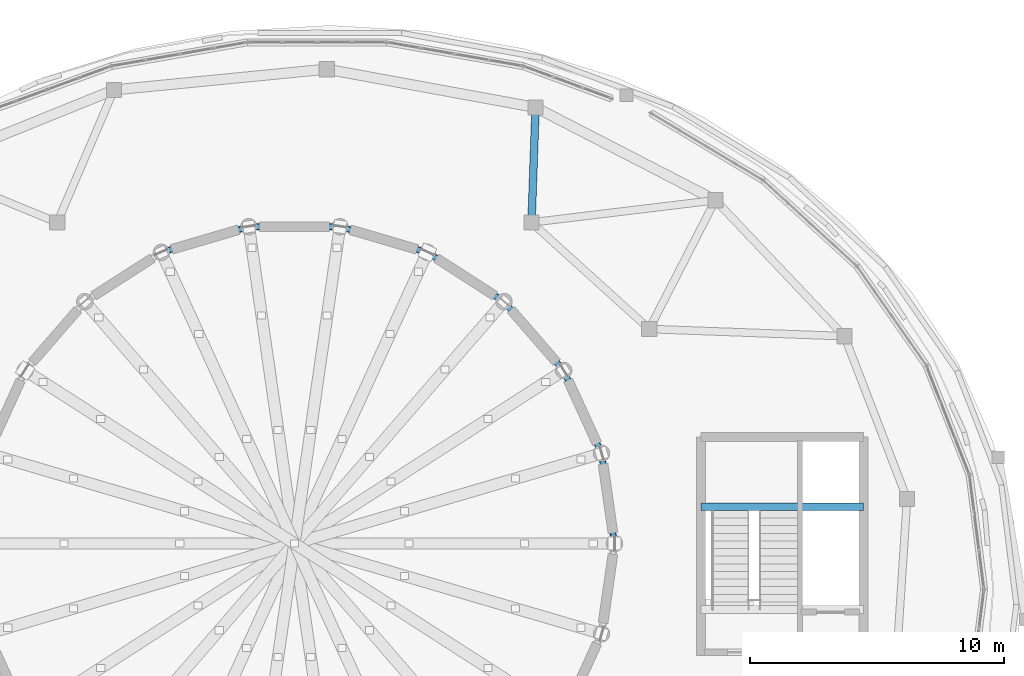
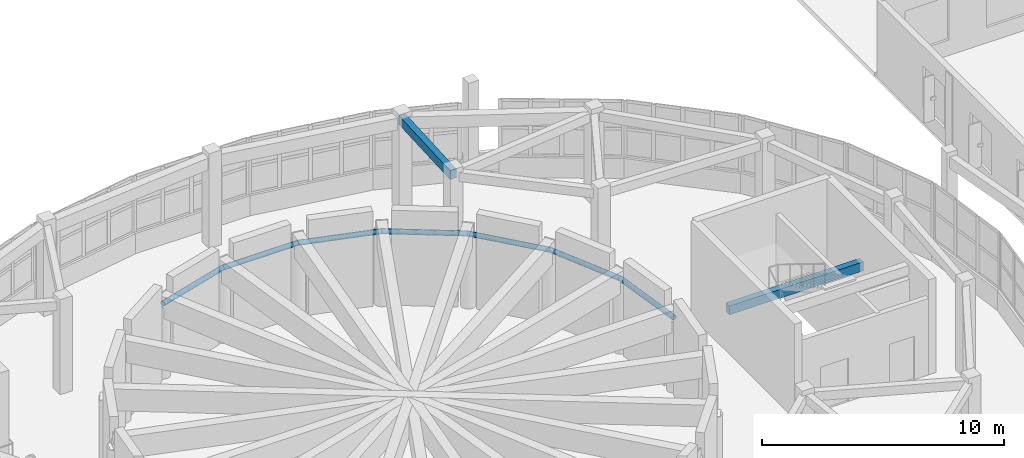
# One storey, part 27 of 69: 9 beams.
"""IFC4 building model written with IfcOpenShell, lengths in metres."""

from ifc_helpers import new_model, si_unit, direction, frame, origin, origin_2d, place, context, subcontext, project, spatial, rectangle, hollow_circle, extrude, material, material_profile, profile_set, type_object, element, save


model = new_model("IFC4")

# Units and contexts
model_context = context("Model", 3, precision=1e-05, world=origin(), true_north=direction((0.0, 1.0)))
body_context = subcontext(model_context, "Body", "Model", "MODEL_VIEW")
ifc_project = project(units=[si_unit("LENGTHUNIT", "METRE"), si_unit("AREAUNIT", "SQUARE_METRE"), si_unit("VOLUMEUNIT", "CUBIC_METRE"), si_unit("PLANEANGLEUNIT", "RADIAN"), si_unit("MASSUNIT", "GRAM", prefix="KILO")], contexts=[model_context])

# Site, building, storey
site_placement = place(None, origin())
site = spatial("IfcSite", under=ifc_project, at=site_placement, CompositionType="ELEMENT")
building_placement = place(site_placement, origin())
building = spatial("IfcBuilding", under=site, at=building_placement, Name="Pelvatis Terrace Science Centre", CompositionType="ELEMENT")
storey_placement = place(building_placement, frame((0.0, 0.0, 15.0)))
storey = spatial("IfcBuildingStorey", under=building, at=storey_placement, Name="L03", CompositionType="ELEMENT", Elevation=15.0)

# Beams
ifc_material_1 = material(Name="Structural steel S355", Category="steel")
ifc_material_profile_1 = material_profile(ifc_material_1, hollow_circle(Radius=0.122314453125, WallThickness=0.010009765625, at=origin_2d()), Name="CHS 244.5x10.0")
ifc_profile_set_1 = profile_set([ifc_material_profile_1], Name="Structural steel S355")
beam_type_1 = type_object("IfcBeamType", Name="BM-HOOP-CHS244", PredefinedType="BEAM", material=ifc_profile_set_1)
beam_1_placement = place(storey_placement, frame((121.800048828125, 85.800048828125, 3.60009765625), z_axis=(-0.142345759139, 0.989816995639, 0.0), x_axis=(-0.989816995639, -0.142345759139, 0.0)))
element("IfcBeam", 1, at=beam_1_placement, inside=storey, type_object=beam_type_1, Name="Planetarium dome hoop ring 1.01", PredefinedType="BEAM", context=body_context, shape_type="SweptSolid", body=[
    extrude(hollow_circle(Radius=0.122314453125, WallThickness=0.010009765625, at=origin_2d()), origin(), (0.0, 0.0, 1.0), 3.58642578125),
])
beam_2_placement = place(storey_placement, frame((121.28955078125, 89.349853515625, 3.60009765625), z_axis=(-0.41540256811, 0.909637678643, 0.0), x_axis=(-0.909637678643, -0.41540256811, 0.0)))
element("IfcBeam", 2, at=beam_2_placement, inside=storey, type_object=beam_type_1, Name="Planetarium dome hoop ring 1.02", PredefinedType="BEAM", context=body_context, shape_type="SweptSolid", body=[
    extrude(hollow_circle(Radius=0.122314453125, WallThickness=0.010009765625, at=origin_2d()), origin(), (0.0, 0.0, 1.0), 3.586181640625),
])
for number, where, z_axis, x_axis, name in (
    (3, (119.7998046875, 92.612060546875, 3.60009765625), (-0.654863153819, 0.755747477515, 0.0), (-0.755747477515, -0.654863153819, 0.0), "Planetarium dome hoop ring 1.03"),
    (4, (117.451171875, 95.322509765625, 3.60009765625), (-0.841253667692, 0.540640607607, 0.0), (-0.540640607607, -0.841253667692, 0.0), "Planetarium dome hoop ring 1.04"),
):
    element("IfcBeam", number, at=place(storey_placement, frame(where, z_axis=z_axis, x_axis=x_axis)), inside=storey, type_object=beam_type_1, Name=name, PredefinedType="BEAM", context=body_context, shape_type="SweptSolid", body=[
        extrude(hollow_circle(Radius=0.122314453125, WallThickness=0.010009765625, at=origin_2d()), origin(), (0.0, 0.0, 1.0), 3.58642578125),
    ])
beam_3_placement = place(storey_placement, frame((114.43408203125, 97.261474609375, 3.60009765625), z_axis=(-0.959499815423, 0.281709254734, 0.0), x_axis=(-0.281709254734, -0.959499815423, 0.0)))
element("IfcBeam", 5, at=beam_3_placement, inside=storey, type_object=beam_type_1, Name="Planetarium dome hoop ring 1.05", PredefinedType="BEAM", context=body_context, shape_type="SweptSolid", body=[
    extrude(hollow_circle(Radius=0.122314453125, WallThickness=0.010009765625, at=origin_2d()), origin(), (0.0, 0.0, 1.0), 3.586181640625),
])
beam_4_placement = place(storey_placement, frame((110.9931640625, 98.271728515625, 3.60009765625), z_axis=(-1.0, 0.0, 0.0), x_axis=(0.0, -1.0, 0.0)))
element("IfcBeam", 6, at=beam_4_placement, inside=storey, type_object=beam_type_1, Name="Planetarium dome hoop ring 1.06", PredefinedType="BEAM", context=body_context, shape_type="SweptSolid", body=[
    extrude(hollow_circle(Radius=0.122314453125, WallThickness=0.010009765625, at=origin_2d()), origin(), (0.0, 0.0, 1.0), 3.58642578125),
])
beam_5_placement = place(storey_placement, frame((107.40673828125, 98.271728515625, 3.60009765625), z_axis=(-0.959499815423, -0.281709254734, 0.0), x_axis=(0.281709254734, -0.959499815423, 0.0)))
element("IfcBeam", 7, at=beam_5_placement, inside=storey, type_object=beam_type_1, Name="Planetarium dome hoop ring 1.07", PredefinedType="BEAM", context=body_context, shape_type="SweptSolid", body=[
    extrude(hollow_circle(Radius=0.122314453125, WallThickness=0.010009765625, at=origin_2d()), origin(), (0.0, 0.0, 1.0), 3.586181640625),
])
ifc_material_2 = material(Name="Concrete C35/45", Category="concrete")
ifc_material_profile_2 = material_profile(ifc_material_2, rectangle(XDim=0.300048828125, YDim=0.449951171875, at=origin_2d()), Name="RC-BM 300x450")
ifc_profile_set_2 = profile_set([ifc_material_profile_2], Name="Concrete C35/45")
beam_type_2 = type_object("IfcBeamType", Name="BM-RC-300x450", PredefinedType="BEAM", material=ifc_profile_set_2)
beam_6_placement = place(storey_placement, frame((118.69482421875, 102.9658203125, 4.324951171875), z_axis=(-0.035566590656, -0.999367308665, 0.0), x_axis=(0.999367308665, -0.035566590656, 0.0)))
element("IfcBeam", 8, at=beam_6_placement, inside=storey, type_object=beam_type_2, Name="Beam BM-L03-3017", PredefinedType="BEAM", context=body_context, shape_type="SweptSolid", body=[
    extrude(rectangle(XDim=0.300048828125, YDim=0.449951171875, at=origin_2d()), origin(), (0.0, 0.0, 1.0), 4.530517578125),
])
beam_7_placement = place(storey_placement, frame((125.199951171875, 87.25, 1.97509765625), z_axis=(1.0, 0.0, 0.0), x_axis=(0.0, 1.0, 0.0)))
element("IfcBeam", 9, at=beam_7_placement, inside=storey, type_object=beam_type_2, Name="Core C2 half-landing beam (L03)", PredefinedType="BEAM", context=body_context, shape_type="SweptSolid", body=[
    extrude(rectangle(XDim=0.300048828125, YDim=0.449951171875, at=origin_2d()), origin(), (0.0, 0.0, 1.0), 6.400146484375),
])

save(model, "model.ifc")
